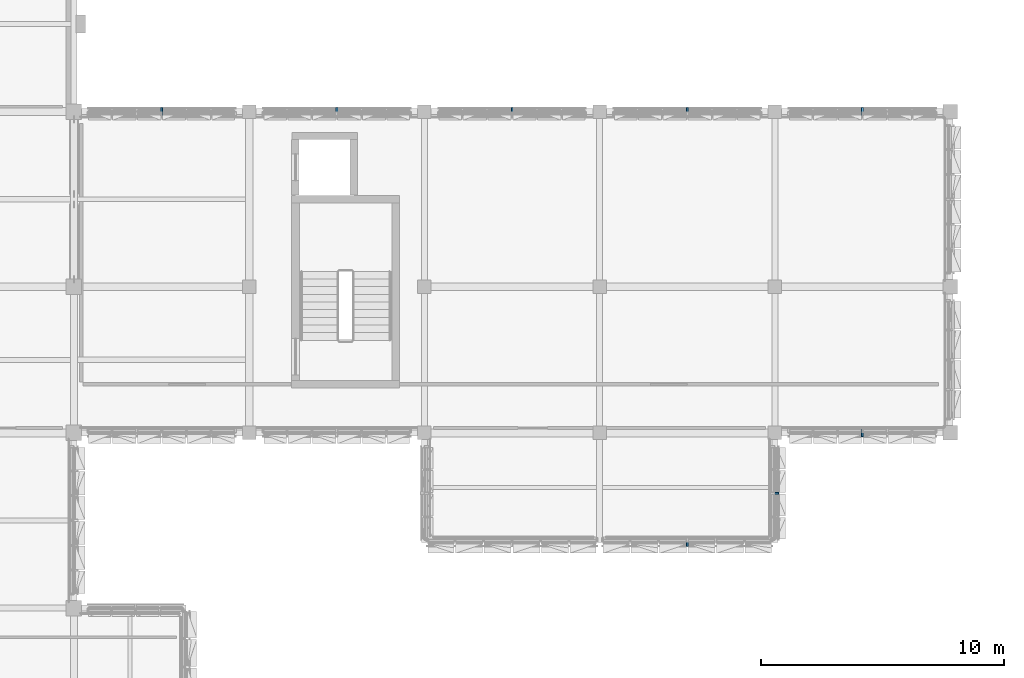
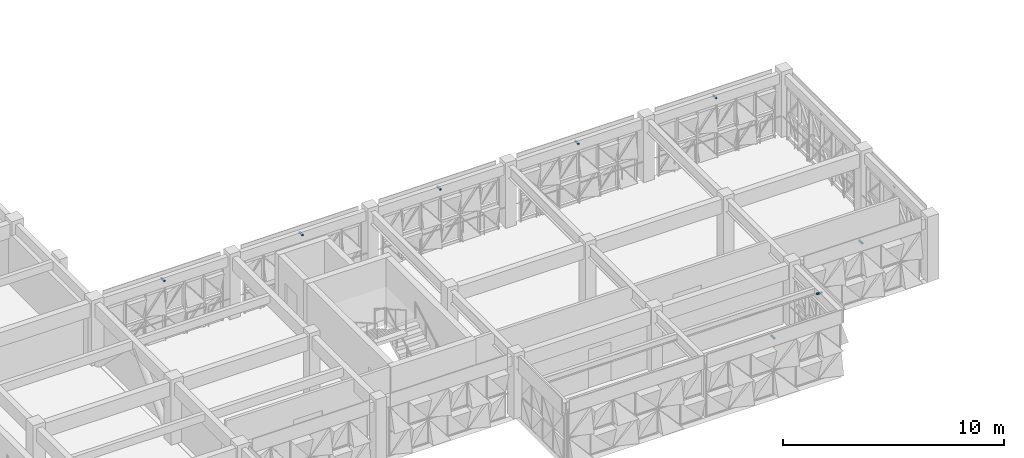
# One storey, part 61 of 85: 8 discrete accessories.
"""IFC4 building model written with IfcOpenShell, lengths in metres."""

from ifc_helpers import new_model, si_unit, direction, frame, origin, origin_2d, place, context, subcontext, project, spatial, rectangle, extrude, material, type_object, element, save


model = new_model("IFC4")

# Units and contexts
model_context = context("Model", 3, precision=1e-05, world=origin(), true_north=direction((0.0, 1.0)))
body_context = subcontext(model_context, "Body", "Model", "MODEL_VIEW")
ifc_project = project(units=[si_unit("LENGTHUNIT", "METRE"), si_unit("AREAUNIT", "SQUARE_METRE"), si_unit("VOLUMEUNIT", "CUBIC_METRE"), si_unit("PLANEANGLEUNIT", "RADIAN"), si_unit("MASSUNIT", "GRAM", prefix="KILO")], contexts=[model_context])

# Site, building, storey
site_placement = place(None, origin())
site = spatial("IfcSite", under=ifc_project, at=site_placement, CompositionType="ELEMENT")
building_placement = place(site_placement, origin())
building = spatial("IfcBuilding", under=site, at=building_placement, Name="Alvorim Cloister Faculty of Sciences", CompositionType="ELEMENT")
storey_placement = place(building_placement, frame((0.0, 0.0, 8.550048828125)))
storey = spatial("IfcBuildingStorey", under=building, at=storey_placement, Name="L02", CompositionType="ELEMENT", Elevation=8.550048828125)

# Discrete accessories
ifc_material = material(Name="Aluminium Alloy 6063-T6", Category="aluminium")
discrete_accessory_type = type_object("IfcDiscreteAccessoryType", Name="ACC-DIAG-BAR", PredefinedType="BRACKET", material=ifc_material)
for number, where, z_axis, x_axis, name in (
    (1, (32.39990234375, 56.260009765625, 3.224853515625), (0.0, 1.0, 0.0), (-1.0, 0.0, 0.0), "Slab-Edge Fascia Tie Bracket ACC-00560"),
    (2, (39.60009765625, 56.260009765625, 3.224853515625), (0.0, 1.0, 0.0), (-1.0, 0.0, 0.0), "Slab-Edge Fascia Tie Bracket ACC-00573"),
    (3, (46.800048828125, 56.260009765625, 3.224853515625), (0.0, 1.0, 0.0), (-1.0, 0.0, 0.0), "Slab-Edge Fascia Tie Bracket ACC-00586"),
    (4, (54.0, 56.260009765625, 3.224853515625), (0.0, 1.0, 0.0), (-1.0, 0.0, 0.0), "Slab-Edge Fascia Tie Bracket ACC-00599"),
    (5, (61.199951171875, 56.260009765625, 3.224853515625), (0.0, 1.0, 0.0), (-1.0, 0.0, 0.0), "Slab-Edge Fascia Tie Bracket ACC-00612"),
    (6, (61.199951171875, 43.340087890625, 3.224853515625), (0.0, -1.0, 0.0), (1.0, 0.0, 0.0), "Slab-Edge Fascia Tie Bracket ACC-00647"),
    (7, (57.4599609375, 40.719970703125, 3.15283203125), (1.0, 0.0, 0.0), (0.0, 1.0, 0.0), "Slab-Edge Fascia Tie Bracket ACC-00656"),
    (8, (54.0, 38.840087890625, 3.228515625), (0.0, -1.0, 0.0), (1.0, 0.0, 0.0), "Slab-Edge Fascia Tie Bracket ACC-00669"),
):
    element("IfcDiscreteAccessory", number, at=place(storey_placement, frame(where, z_axis=z_axis, x_axis=x_axis)), inside=storey, type_object=discrete_accessory_type, Name=name, PredefinedType="BRACKET", context=body_context, shape_type="SweptSolid", body=[
        extrude(rectangle(XDim=0.080078125, YDim=0.080078125, at=origin_2d()), origin(), (0.0, 0.0, 1.0), 0.300048828125),
    ])

save(model, "model.ifc")
